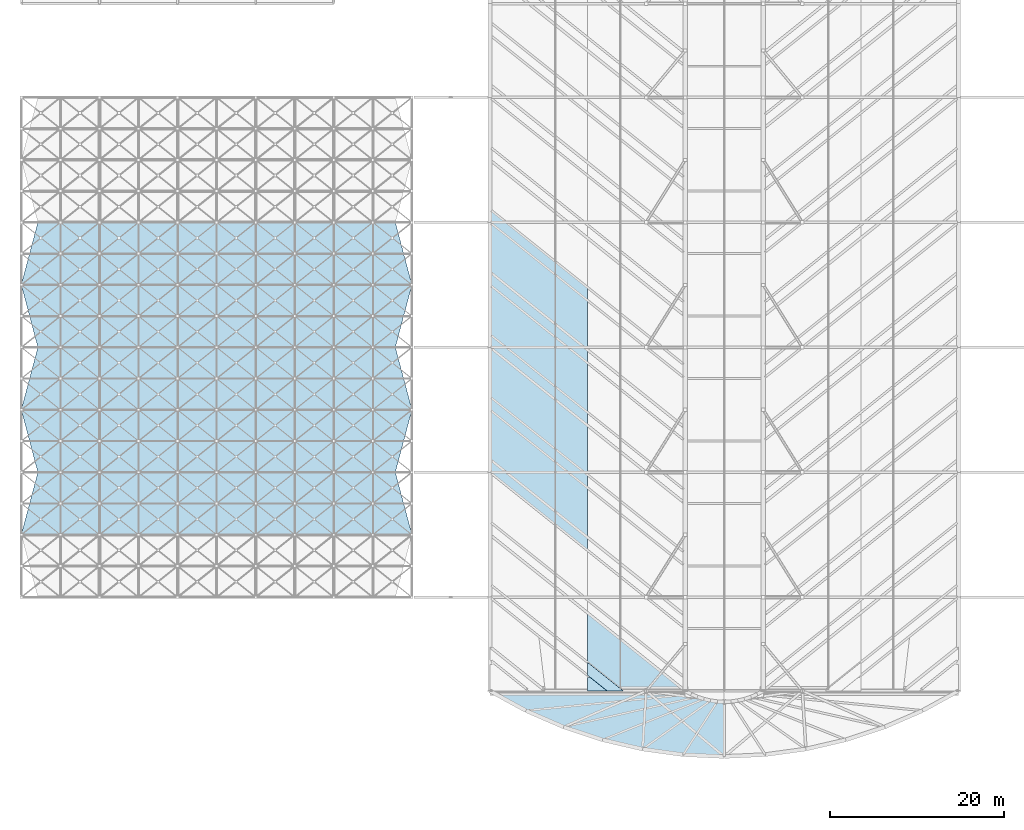
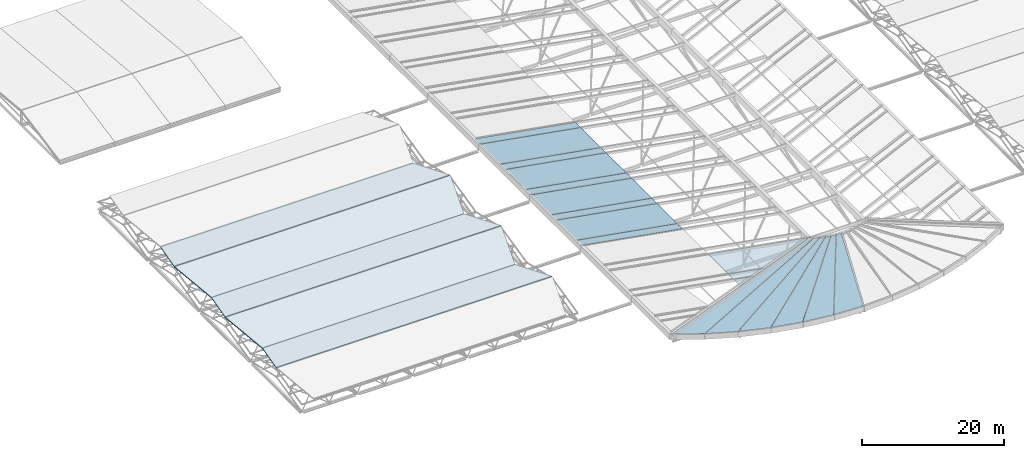
# One storey, part 62 of 110: 18 plates, 5 slabs.
"""IFC4 building model written with IfcOpenShell, lengths in metres."""

from ifc_helpers import new_model, si_unit, direction, frame, origin, place, context, subcontext, project, spatial, polyline, outline, extrude, material, layer, layer_set, type_object, element, save


model = new_model("IFC4")

# Units and contexts
model_context = context("Model", 3, precision=1e-05, world=origin(), true_north=direction((0.0, 1.0)))
body_context = subcontext(model_context, "Body", "Model", "MODEL_VIEW")
ifc_project = project(units=[si_unit("LENGTHUNIT", "METRE"), si_unit("AREAUNIT", "SQUARE_METRE"), si_unit("VOLUMEUNIT", "CUBIC_METRE"), si_unit("PLANEANGLEUNIT", "RADIAN"), si_unit("MASSUNIT", "GRAM", prefix="KILO")], contexts=[model_context])

# Site, building, storey
site_placement = place(None, origin())
site = spatial("IfcSite", under=ifc_project, at=site_placement, CompositionType="ELEMENT")
building_placement = place(site_placement, origin())
building = spatial("IfcBuilding", under=site, at=building_placement, Name="Tamarisk Ironworks Central Station", CompositionType="ELEMENT")
storey_placement = place(building_placement, frame((0.0, 0.0, 17.39990234375)))
storey = spatial("IfcBuildingStorey", under=building, at=storey_placement, Name="L03", CompositionType="ELEMENT", Elevation=17.39990234375)

# Plates
ifc_material_1 = material(Name="Laminated solar-control low-E glass", Category="glass")
ifc_layer_1 = layer(ifc_material_1, 0.031982421875)
ifc_layer_set_1 = layer_set([ifc_layer_1], Name="Laminated solar-control low-E glass")
plate_type_1 = type_object("IfcPlateType", Name="PL-RG32", PredefinedType="USERDEFINED", material=ifc_layer_set_1)
plate_1_placement = place(storey_placement, frame((65.24609375, 27.007080078125, 3.698486328125), z_axis=(-0.36422776346, 0.0, 0.931309903483), x_axis=(0.0, 1.0, 0.0)))
element("IfcPlate", 1, at=plate_1_placement, inside=storey, type_object=plate_type_1, Name="Concourse fitted 4-vertex fishbone roof glass panel 0069", ObjectType="ROOF GLAZING PANEL", PredefinedType="USERDEFINED", context=body_context, shape_type="SweptSolid", body=[
    extrude(outline(polyline([(0.0, 0.0), (1.4921875, 0.0), (10.48583984375, 12.071371149346136), (8.99365234375, 12.071371149346136), (0.0, 0.0)])), origin(), (0.0, 0.0, -1.0), 0.031982421875),
])
plate_2_placement = place(storey_placement, frame((65.24609375, 28.507080078125, 3.698486328125), z_axis=(-0.36422776346, 0.0, 0.931309903483), x_axis=(0.0, 1.0, 0.0)))
element("IfcPlate", 2, at=plate_2_placement, inside=storey, type_object=plate_type_1, Name="Concourse fitted 4-vertex fishbone roof glass panel 0070", ObjectType="ROOF GLAZING PANEL", PredefinedType="USERDEFINED", context=body_context, shape_type="SweptSolid", body=[
    extrude(outline(polyline([(0.0, 0.0), (5.692138671875, 0.0), (14.685791015625, 12.071371149346135), (8.99365234375, 12.071371149346135), (0.0, 0.0)])), origin(), (0.0, 0.0, -1.0), 0.031982421875),
])
plate_3_placement = place(storey_placement, frame((65.24609375, 34.207275390625, 3.698486328125), z_axis=(-0.36422776346, 0.0, 0.931309903483), x_axis=(0.0, 1.0, 0.0)))
element("IfcPlate", 3, at=plate_3_placement, inside=storey, type_object=plate_type_1, Name="Concourse fitted 4-vertex fishbone roof glass panel 0071", ObjectType="ROOF GLAZING PANEL", PredefinedType="USERDEFINED", context=body_context, shape_type="SweptSolid", body=[
    extrude(outline(polyline([(0.0, 0.0), (1.491943359375, 0.0), (10.485595703125, 12.071371149346135), (8.993408203125, 12.071371149346135), (0.0, 0.0)])), origin(), (0.0, 0.0, -1.0), 0.031982421875),
])
plate_4_placement = place(storey_placement, frame((65.24609375, 35.707275390625, 3.698486328125), z_axis=(-0.36422776346, 0.0, 0.931309903483), x_axis=(0.0, 1.0, 0.0)))
element("IfcPlate", 4, at=plate_4_placement, inside=storey, type_object=plate_type_1, Name="Concourse fitted 4-vertex fishbone roof glass panel 0072", ObjectType="ROOF GLAZING PANEL", PredefinedType="USERDEFINED", context=body_context, shape_type="SweptSolid", body=[
    extrude(outline(polyline([(0.0, 0.0), (5.69189453125, 0.0), (14.685546875, 12.071371149346136), (8.993408203125, 12.071371149346136), (0.0, 0.0)])), origin(), (0.0, 0.0, -1.0), 0.031982421875),
])
plate_5_placement = place(storey_placement, frame((65.24609375, 41.4072265625, 3.698486328125), z_axis=(-0.36422776346, 0.0, 0.931309903483), x_axis=(0.0, 1.0, 0.0)))
element("IfcPlate", 5, at=plate_5_placement, inside=storey, type_object=plate_type_1, Name="Concourse fitted 4-vertex fishbone roof glass panel 0073", ObjectType="ROOF GLAZING PANEL", PredefinedType="USERDEFINED", context=body_context, shape_type="SweptSolid", body=[
    extrude(outline(polyline([(0.0, 0.0), (1.491943359375, 0.0), (10.485595703125, 12.071371149346136), (8.99365234375, 12.071371149346136), (0.0, 0.0)])), origin(), (0.0, 0.0, -1.0), 0.031982421875),
])
plate_6_placement = place(storey_placement, frame((65.24609375, 42.9072265625, 3.698486328125), z_axis=(-0.36422776346, 0.0, 0.931309903483), x_axis=(0.0, 1.0, 0.0)))
element("IfcPlate", 6, at=plate_6_placement, inside=storey, type_object=plate_type_1, Name="Concourse fitted 4-vertex fishbone roof glass panel 0074", ObjectType="ROOF GLAZING PANEL", PredefinedType="USERDEFINED", context=body_context, shape_type="SweptSolid", body=[
    extrude(outline(polyline([(0.0, 0.0), (5.69189453125, 0.0), (14.685546875, 12.071371149346135), (8.99365234375, 12.071371149346135), (0.0, 0.0)])), origin(), (0.0, 0.0, -1.0), 0.031982421875),
])
plate_7_placement = place(storey_placement, frame((65.24609375, 48.607177734375, 3.698486328125), z_axis=(-0.36422776346, 0.0, 0.931309903483), x_axis=(0.0, 1.0, 0.0)))
element("IfcPlate", 7, at=plate_7_placement, inside=storey, type_object=plate_type_1, Name="Concourse fitted 4-vertex fishbone roof glass panel 0075", ObjectType="ROOF GLAZING PANEL", PredefinedType="USERDEFINED", context=body_context, shape_type="SweptSolid", body=[
    extrude(outline(polyline([(0.0, 0.0), (1.491943359375, 0.0), (10.485595703125, 12.071371149346136), (8.99365234375, 12.071371149346136), (0.0, 0.0)])), origin(), (0.0, 0.0, -1.0), 0.031982421875),
])
plate_8_placement = place(storey_placement, frame((65.24609375, 50.107177734375, 3.698486328125), z_axis=(-0.36422776346, 0.0, 0.931309903483), x_axis=(0.0, 1.0, 0.0)))
element("IfcPlate", 8, at=plate_8_placement, inside=storey, type_object=plate_type_1, Name="Concourse fitted 4-vertex fishbone roof glass panel 0076", ObjectType="ROOF GLAZING PANEL", PredefinedType="USERDEFINED", context=body_context, shape_type="SweptSolid", body=[
    extrude(outline(polyline([(0.0, 0.0), (5.692138671875, 0.0), (14.685546875, 12.071371149346136), (8.99365234375, 12.071371149346136), (0.0, 0.0)])), origin(), (0.0, 0.0, -1.0), 0.031982421875),
])
plate_9_placement = place(storey_placement, frame((65.24609375, 55.80712890625, 3.698486328125), z_axis=(-0.36422776346, 0.0, 0.931309903483), x_axis=(0.0, 1.0, 0.0)))
element("IfcPlate", 9, at=plate_9_placement, inside=storey, type_object=plate_type_1, Name="Concourse fitted 4-vertex fishbone roof glass panel 0077", ObjectType="ROOF GLAZING PANEL", PredefinedType="USERDEFINED", context=body_context, shape_type="SweptSolid", body=[
    extrude(outline(polyline([(0.0, 0.0), (1.4921875, 0.0), (10.485595703125, 12.071371149346135), (8.99365234375, 12.071371149346135), (0.0, 0.0)])), origin(), (0.0, 0.0, -1.0), 0.031982421875),
])
plate_10_placement = place(storey_placement, frame((54.0, 10.800048828125, -0.699951171875), z_axis=(-0.303166695585, -0.554314838663, 0.77512903076), x_axis=(0.877361429836, -0.479830096258, 1.2672889e-05)))
element("IfcPlate", 10, at=plate_10_placement, inside=storey, type_object=plate_type_1, Name="SOUTH rounded entrance hall trapezoidal glass panel 01", ObjectType="ROOF GLAZING PANEL", PredefinedType="USERDEFINED", context=body_context, shape_type="SweptSolid", body=[
    extrude(outline(polyline([(0.0, 0.0), (4.729953652141646, -2.220446049250313e-16), (20.52914739939551, 13.928058530582303), (19.740743693358837, 13.928169219409897), (0.0, 0.0)])), origin(), (0.0, 0.0, -1.0), 0.031982421875),
])
plate_11_placement = place(storey_placement, frame((58.14990234375, 8.530517578125, -0.699951171875), z_axis=(-0.273380889698, -0.629948807178, 0.726930113204), x_axis=(0.91733708375, -0.398111384759, -1.0130059e-05)))
element("IfcPlate", 11, at=plate_11_placement, inside=storey, type_object=plate_type_1, Name="SOUTH rounded entrance hall trapezoidal glass panel 02", ObjectType="ROOF GLAZING PANEL", PredefinedType="USERDEFINED", context=body_context, shape_type="SweptSolid", body=[
    extrude(outline(polyline([(0.0, 0.0), (4.7298700593379515, 0.0), (17.503001829645573, 12.815027596503745), (16.714738750670392, 12.814946195480701), (0.0, 0.0)])), origin(), (0.0, 0.0, -1.0), 0.031982421875),
])
plate_12_placement = place(storey_placement, frame((62.48876953125, 6.6474609375, -0.699951171875), z_axis=(-0.230173022247, -0.698096110283, 0.677998673036), x_axis=(0.949707386956, -0.313138753793, -5.791303e-06)))
element("IfcPlate", 12, at=plate_12_placement, inside=storey, type_object=plate_type_1, Name="SOUTH rounded entrance hall trapezoidal glass panel 03", ObjectType="ROOF GLAZING PANEL", PredefinedType="USERDEFINED", context=body_context, shape_type="SweptSolid", body=[
    extrude(outline(polyline([(0.0, 0.0), (4.730085141420575, -2.220446049250313e-16), (14.354970614491062, 11.97194043589678), (13.56655854518447, 11.971896957608205), (0.0, 0.0)])), origin(), (0.0, 0.0, -1.0), 0.031982421875),
])
plate_13_placement = place(storey_placement, frame((66.98095703125, 5.166259765625, -0.699951171875), z_axis=(-0.174452844045, -0.753669143786, 0.633678962022), x_axis=(0.974241200646, -0.225508498649, 5.54137e-07)))
element("IfcPlate", 13, at=plate_13_placement, inside=storey, type_object=plate_type_1, Name="SOUTH rounded entrance hall trapezoidal glass panel 04", ObjectType="ROOF GLAZING PANEL", PredefinedType="USERDEFINED", context=body_context, shape_type="SweptSolid", body=[
    extrude(outline(polyline([(0.0, 0.0), (4.729992503124173, 1.1102230246251565e-16), (11.111093808893536, 11.375499856260948), (10.322969110883497, 11.37550380896355), (0.0, 0.0)])), origin(), (0.0, 0.0, -1.0), 0.031982421875),
])
plate_14_placement = place(storey_placement, frame((71.589111328125, 4.099609375, -0.699951171875), z_axis=(-0.108880491579, -0.792604670819, 0.599935725182), x_axis=(0.990697528555, -0.136082352755, 1.354396e-05)))
element("IfcPlate", 14, at=plate_14_placement, inside=storey, type_object=plate_type_1, Name="SOUTH rounded entrance hall trapezoidal glass panel 05", ObjectType="ROOF GLAZING PANEL", PredefinedType="USERDEFINED", context=body_context, shape_type="SweptSolid", body=[
    extrude(outline(polyline([(0.0, 0.0), (4.729778014506987, 5.551115123125783e-17), (7.797961997918801, 10.999266283247486), (7.009603201761566, 10.999359699398596), (0.0, 0.0)])), origin(), (0.0, 0.0, -1.0), 0.031982421875),
])
plate_15_placement = place(storey_placement, frame((76.27490234375, 3.4560546875, -0.699951171875), z_axis=(-0.036958915641, -0.812592322478, 0.581659484583), x_axis=(0.998966686052, -0.045448430603, -1.7742851e-05)))
element("IfcPlate", 15, at=plate_15_placement, inside=storey, type_object=plate_type_1, Name="SOUTH rounded entrance hall trapezoidal glass panel 06", ObjectType="ROOF GLAZING PANEL", PredefinedType="USERDEFINED", context=body_context, shape_type="SweptSolid", body=[
    extrude(outline(polyline([(0.0, 0.0), (4.729990554004861, 0.0), (4.4435403715124195, 10.818511581339045), (3.6551365629014576, 10.81839121232795), (0.0, 0.0)])), origin(), (0.0, 0.0, -1.0), 0.031982421875),
])
ifc_layer_2 = layer(ifc_material_1, 0.035888671875)
ifc_layer_set_2 = layer_set([ifc_layer_2], Name="Laminated solar-control low-E glass")
plate_type_2 = type_object("IfcPlateType", Name="PL-RG36", PredefinedType="USERDEFINED", material=ifc_layer_set_2)
plate_16_placement = place(storey_placement, frame((65.25390625, 12.324462890625, 3.70166015625), z_axis=(-0.364199309114, 4.6637375e-05, 0.931321030078), x_axis=(-1.69853e-05, -0.999999998912, 4.3434368e-05)))
element("IfcPlate", 16, at=plate_16_placement, inside=storey, type_object=plate_type_2, Name="Concourse fitted 4-vertex fishbone roof glass panel 0029", ObjectType="ROOF GLAZING PANEL", PredefinedType="USERDEFINED", context=body_context, shape_type="SweptSolid", body=[
    extrude(outline(polyline([(0.0, 0.0), (1.5205078108464136, 0.0), (1.5205078141535862, 2.401008606061392), (-3.307172497455468e-09, 0.3601587221498853), (0.0, 0.0)])), origin(), (0.0, 0.0, -1.0), 0.035888671875),
])
plate_17_placement = place(storey_placement, frame((67.5, 10.803955078125, 4.580078125), z_axis=(-0.364257050462, -2.6207848e-05, 0.931298448674), x_axis=(0.931298448994, 5.12e-10, 0.364257050587)))
element("IfcPlate", 17, at=plate_17_placement, inside=storey, type_object=plate_type_2, Name="Concourse fitted 4-vertex fishbone roof glass panel 0030", ObjectType="ROOF GLAZING PANEL", PredefinedType="USERDEFINED", context=body_context, shape_type="SweptSolid", body=[
    extrude(outline(polyline([(0.0, 0.0), (2.0025851853064314, 3.3881317890172014e-21), (-2.411753562465524, 3.2888183617385836), (-2.4117535632289666, 1.7968750028759553), (0.0, 0.0)])), origin(), (0.0, 0.0, -1.0), 0.035888671875),
])
plate_18_placement = place(storey_placement, frame((69.375, 10.803955078125, 5.3134765625), z_axis=(-0.364240784318, 2.442367e-06, 0.931304811022), x_axis=(0.931304811025, 4e-12, 0.364240784319)))
element("IfcPlate", 18, at=plate_18_placement, inside=storey, type_object=plate_type_2, Name="Concourse fitted 4-vertex fishbone roof glass panel 0031", ObjectType="ROOF GLAZING PANEL", PredefinedType="USERDEFINED", context=body_context, shape_type="SweptSolid", body=[
    extrude(outline(polyline([(0.0, 0.0), (7.6398028728943626, 0.0), (-4.425083708011658, 8.988769531296475), (-4.425083708036954, 3.2968750000634524), (0.0, 0.0)])), origin(), (0.0, 0.0, -1.0), 0.035888671875),
])

# Slabs
ifc_material_2 = material(Name="Concrete C35/45", Category="concrete")
ifc_layer_3 = layer(ifc_material_2, 0.159912109375)
ifc_layer_set_3 = layer_set([ifc_layer_3], Name="Concrete C35/45")
slab_type = type_object("IfcSlabType", Name="SL-RF160", PredefinedType="ROOF", material=ifc_layer_set_3)
slab_1_placement = place(storey_placement, frame((0.0, 28.85498046875, 1.472412109375), z_axis=(0.0, 0.22335110453, 0.974738059227), x_axis=(1.0, 0.0, 0.0)))
element("IfcSlab", 19, at=slab_1_placement, inside=storey, type_object=slab_type, Name="Train shed sloped roof deck WEST-1N", PredefinedType="ROOF", context=body_context, shape_type="SweptSolid", body=[
    extrude(outline(polyline([(0.0, 0.0), (45.0, 0.0), (43.10009765625, 7.330194469802176), (1.89990234375, 7.330194469802176), (0.0, 0.0)])), origin(), (0.0, 0.0, -1.0), 0.159912109375),
])
slab_2_placement = place(storey_placement, frame((1.89990234375, 36.0, -0.164794921875), z_axis=(0.0, -0.22335110453, 0.974738059227), x_axis=(1.0, 0.0, 0.0)))
element("IfcSlab", 20, at=slab_2_placement, inside=storey, type_object=slab_type, Name="Train shed sloped roof deck WEST-2S", PredefinedType="ROOF", context=body_context, shape_type="SweptSolid", body=[
    extrude(outline(polyline([(0.0, 0.0), (41.2001953125, 0.0), (43.10009765625, 7.330194469802176), (-1.89990234375, 7.330194469802176), (0.0, 0.0)])), origin(), (0.0, 0.0, -1.0), 0.159912109375),
])
slab_3_placement = place(storey_placement, frame((0.0, 43.2548828125, 1.472412109375), z_axis=(0.0, 0.22335110453, 0.974738059227), x_axis=(1.0, 0.0, 0.0)))
element("IfcSlab", 21, at=slab_3_placement, inside=storey, type_object=slab_type, Name="Train shed sloped roof deck WEST-2N", PredefinedType="ROOF", context=body_context, shape_type="SweptSolid", body=[
    extrude(outline(polyline([(0.0, 0.0), (45.0, 0.0), (43.10009765625, 7.330194469802176), (1.89990234375, 7.330194469802176), (0.0, 0.0)])), origin(), (0.0, 0.0, -1.0), 0.159912109375),
])
slab_4_placement = place(storey_placement, frame((1.89990234375, 50.39990234375, -0.164794921875), z_axis=(0.0, -0.22335110453, 0.974738059227), x_axis=(1.0, 0.0, 0.0)))
element("IfcSlab", 22, at=slab_4_placement, inside=storey, type_object=slab_type, Name="Train shed sloped roof deck WEST-3S", PredefinedType="ROOF", context=body_context, shape_type="SweptSolid", body=[
    extrude(outline(polyline([(0.0, 0.0), (41.2001953125, 0.0), (43.10009765625, 7.330194469802176), (-1.89990234375, 7.330194469802176), (0.0, 0.0)])), origin(), (0.0, 0.0, -1.0), 0.159912109375),
])
slab_5_placement = place(storey_placement, frame((0.0, 57.655029296875, 1.472412109375), z_axis=(0.0, 0.22335110453, 0.974738059227), x_axis=(1.0, 0.0, 0.0)))
element("IfcSlab", 23, at=slab_5_placement, inside=storey, type_object=slab_type, Name="Train shed sloped roof deck WEST-3N", PredefinedType="ROOF", context=body_context, shape_type="SweptSolid", body=[
    extrude(outline(polyline([(0.0, 0.0), (45.0, 0.0), (43.10009765625, 7.330194469802176), (1.89990234375, 7.330194469802176), (0.0, 0.0)])), origin(), (0.0, 0.0, -1.0), 0.159912109375),
])

save(model, "model.ifc")
